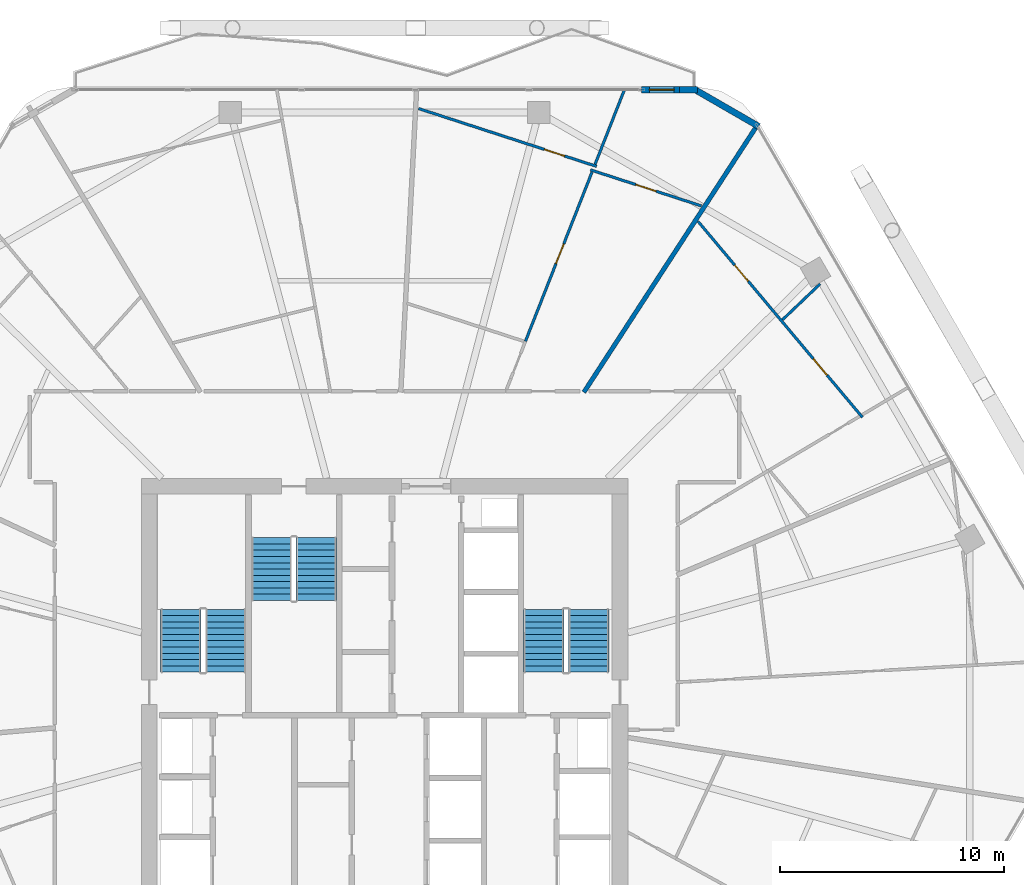
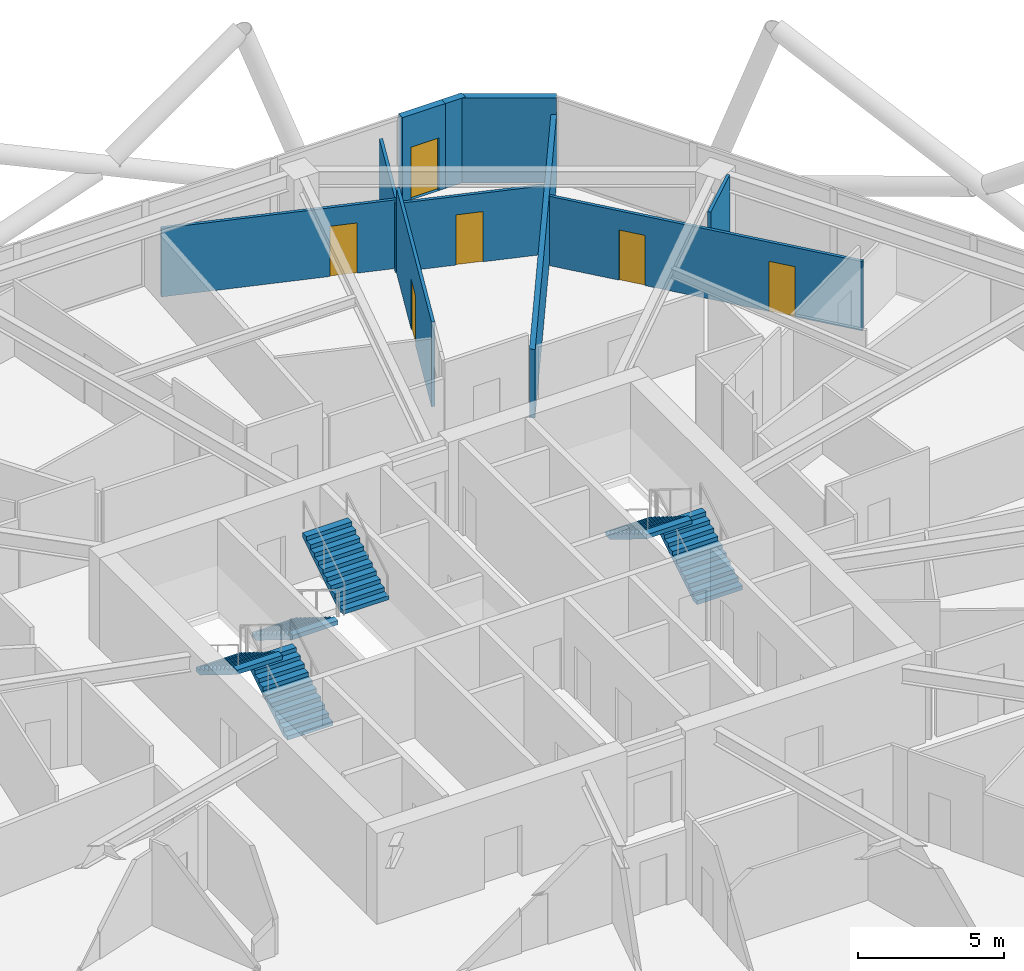
# One storey, part 26 of 29: 10 walls, 6 doors, 6 stair flights, 6 openings, 3 elements without a shape of their own.
"""IFC4 building model written with IfcOpenShell, lengths in metres."""

from ifc_helpers import new_model, si_unit, direction, frame, frame_2d, origin, place, context, subcontext, project, spatial, polyline, rectangle, outline, extrude, material, layer, layer_set, type_object, element, fill, aggregate, save


model = new_model("IFC4")

# Units and contexts
model_context = context("Model", 3, precision=1e-05, world=origin(), true_north=direction((0.0, 1.0)))
body_context = subcontext(model_context, "Body", "Model", "MODEL_VIEW")
ifc_project = project(units=[si_unit("LENGTHUNIT", "METRE"), si_unit("AREAUNIT", "SQUARE_METRE"), si_unit("VOLUMEUNIT", "CUBIC_METRE"), si_unit("PLANEANGLEUNIT", "RADIAN"), si_unit("MASSUNIT", "GRAM", prefix="KILO")], contexts=[model_context])

# Site, building, storey
site_placement = place(None, origin())
site = spatial("IfcSite", under=ifc_project, at=site_placement, CompositionType="ELEMENT")
building_placement = place(site_placement, origin())
building = spatial("IfcBuilding", under=site, at=building_placement, Name="Zuhravey Tower", CompositionType="ELEMENT")
storey_placement = place(building_placement, frame((0.0, 0.0, 161.800048828125)))
storey = spatial("IfcBuildingStorey", under=building, at=storey_placement, Name="L40", CompositionType="ELEMENT", Elevation=161.800048828125)

# Wall, opening, door
ifc_material_1 = material(Name="Precast concrete C40/50", Category="concrete")
ifc_layer_1 = layer(ifc_material_1, 0.280029296875)
ifc_layer_set_1 = layer_set([ifc_layer_1], Name="Precast concrete C40/50")
wall_type_1 = type_object("IfcWallType", Name="Crown Architectural Wall 280", PredefinedType="SOLIDWALL", material=ifc_layer_set_1)
wall_1_placement = place(storey_placement, frame((47.466064453125, 59.18310546875, 0.0), z_axis=(0.0, 0.0, 1.0), x_axis=(1.0, 0.0, 0.0)))
wall_1 = element("IfcWall", 1, at=wall_1_placement, inside=storey, type_object=wall_type_1, Name="L40 Face 2 Facade Pier EW28-1", PredefinedType="SOLIDWALL", context=body_context, shape_type="SweptSolid", body=[
    extrude(rectangle(XDim=1.7900390625, YDim=0.280029296875, at=frame_2d((0.89501953125, 0.0))), origin(), (0.0, 0.0, 1.0), 3.550048828125),
])
opening_1_placement = place(wall_1_placement, frame((0.344970703125, 0.0, 0.0)))
opening_1 = element("IfcOpeningElement", 2, at=opening_1_placement, cuts=wall_1, Name="Opening BLD1", PredefinedType="OPENING", context=body_context, shape_type="SweptSolid", body=[
    extrude(rectangle(XDim=1.10009765625, YDim=2.199951171875, at=frame_2d((0.550048828125, 1.10009765625))), frame((0.0, 0.152099609375, 0.0), z_axis=(0.0, -1.0, 0.0), x_axis=(1.0, 0.0, 0.0)), (0.0, 0.0, 1.0), 0.303955078125),
])
ifc_material_2 = material(Name="Thermally broken aluminium and low-E glass", Category="aluminium")
door_type_1 = type_object("IfcDoorType", Name="Balcony & Sky-Tray Glazed Door 1100x2200", OperationType="NOTDEFINED", PredefinedType="DOOR", material=ifc_material_2)
door_1_placement = place(opening_1_placement, frame((1.10009765625, 0.0, 0.0), z_axis=(0.0, 0.0, 1.0), x_axis=(-1.0, 0.0, 0.0)))
door_1 = element("IfcDoor", 3, at=door_1_placement, inside=storey, type_object=door_type_1, Name="L40 Face 2 Wave Balcony Door", OperationType="SINGLE_SWING_RIGHT", OverallHeight=2.199951171875, OverallWidth=1.10009765625, PredefinedType="DOOR", context=body_context, shape_type="SweptSolid", body=[
    extrude(rectangle(XDim=1.10009765625, YDim=2.199951171875, at=frame_2d((0.550048828125, 1.10009765625))), frame((0.0, 0.02490234375, 0.0), z_axis=(0.0, -1.0, 0.0), x_axis=(1.0, 0.0, 0.0)), (0.0, 0.0, 1.0), 0.050048828125),
])
fill(opening_1, door_1)

# Walls
wall_2_placement = place(storey_placement, frame((49.166015625, 59.18310546875, 0.0), z_axis=(0.0, 0.0, 1.0), x_axis=(1.0, 0.0, 0.0)))
element("IfcWall", 4, at=wall_2_placement, inside=storey, type_object=wall_type_1, Name="L40 Face 2 Closure Pier EW28", PredefinedType="SOLIDWALL", context=body_context, shape_type="SweptSolid", body=[
    extrude(rectangle(XDim=0.7900390625, YDim=0.280029296875, at=frame_2d((0.39501953125, 0.0))), origin(), (0.0, 0.0, 1.0), 3.550048828125),
])
wall_3_placement = place(storey_placement, frame((49.77880859375, 59.230712890625, 0.0), z_axis=(0.0, 0.0, 1.0), x_axis=(0.866020068361, -0.500009241111, 0.0)))
element("IfcWall", 5, at=wall_3_placement, inside=storey, type_object=wall_type_1, Name="L40 Rounded Corner Closure Wall EW28-10", PredefinedType="SOLIDWALL", context=body_context, shape_type="SweptSolid", body=[
    extrude(rectangle(XDim=3.365234375, YDim=0.280029296875, at=frame_2d((1.6826171875, 0.0))), origin(), (0.0, 0.0, 1.0), 3.550048828125),
])
ifc_material_3 = material(Name="Gypsum double-stud party assembly")
ifc_layer_2 = layer(ifc_material_3, 0.199951171875)
ifc_layer_set_2 = layer_set([ifc_layer_2], Name="Gypsum double-stud party assembly")
wall_type_2 = type_object("IfcWallType", Name="Inter-Tenancy Party Wall 200", PredefinedType="PARTITIONING", material=ifc_layer_set_2)
wall_4_placement = place(storey_placement, frame((44.890380859375, 45.68994140625, 0.0), z_axis=(0.0, 0.0, 1.0), x_axis=(0.544635001308, 0.838673187452, 0.0)))
element("IfcWall", 6, at=wall_4_placement, inside=storey, type_object=wall_type_2, Name="L40 IW20 Partition 081", PredefinedType="PARTITIONING", context=body_context, shape_type="SweptSolid", body=[
    extrude(rectangle(XDim=14.184814453125, YDim=0.199951171875, at=frame_2d((7.09228515625, 0.0))), origin(), (0.0, 0.0, 1.0), 2.869873046875),
])

# Wall, openings, doors
ifc_material_4 = material(Name="Gypsum metal-stud partition")
ifc_layer_3 = layer(ifc_material_4, 0.1201171875)
ifc_layer_set_3 = layer_set([ifc_layer_3], Name="Gypsum metal-stud partition")
wall_type_3 = type_object("IfcWallType", Name="Unit Internal Partition 120", PredefinedType="PARTITIONING", material=ifc_layer_set_3)
wall_5_placement = place(storey_placement, frame((57.31689453125, 44.571044921875, 0.0), z_axis=(0.0, 0.0, 1.0), x_axis=(-0.642776392827, 0.766053855042, 0.0)))
wall_5 = element("IfcWall", 7, at=wall_5_placement, inside=storey, type_object=wall_type_3, Name="L40 IW12 Partition 019", PredefinedType="PARTITIONING", context=body_context, shape_type="SweptSolid", body=[
    extrude(rectangle(XDim=11.4072265625, YDim=0.1201171875, at=frame_2d((5.70361328125, 0.0))), origin(), (0.0, 0.0, 1.0), 2.89990234375),
])
opening_2_placement = place(wall_5_placement, frame((2.455810546875, 0.0, 0.0)))
opening_2 = element("IfcOpeningElement", 8, at=opening_2_placement, cuts=wall_5, Name="Opening IND1", PredefinedType="OPENING", context=body_context, shape_type="SweptSolid", body=[
    extrude(rectangle(XDim=0.949951171875, YDim=2.10009765625, at=frame_2d((0.47509765625, 1.050048828125))), frame((0.0, 0.072021484375, 0.0), z_axis=(0.0, -1.0, 0.0), x_axis=(1.0, 0.0, 0.0)), (0.0, 0.0, 1.0), 0.14404296875),
])
opening_3_placement = place(wall_5_placement, frame((7.919189453125, 0.0, 0.0)))
opening_3 = element("IfcOpeningElement", 9, at=opening_3_placement, cuts=wall_5, Name="Opening IND1", PredefinedType="OPENING", context=body_context, shape_type="SweptSolid", body=[
    extrude(rectangle(XDim=0.949951171875, YDim=2.10009765625, at=frame_2d((0.47509765625, 1.050048828125))), frame((0.0, 0.072021484375, 0.0), z_axis=(0.0, -1.0, 0.0), x_axis=(1.0, 0.0, 0.0)), (0.0, 0.0, 1.0), 0.14404296875),
])
ifc_material_5 = material(Name="Painted engineered timber leaf", Category="wood")
door_type_2 = type_object("IfcDoorType", Name="Internal Room & Bedroom Door 950x2100", OperationType="NOTDEFINED", PredefinedType="DOOR", material=ifc_material_5)
door_2_placement = place(opening_2_placement, frame((0.949951171875, 0.0, 0.0), z_axis=(0.0, 0.0, 1.0), x_axis=(-1.0, 0.0, 0.0)))
door_2 = element("IfcDoor", 10, at=door_2_placement, inside=storey, type_object=door_type_2, Name="Apartment L40-01 Family Study Door", OperationType="SINGLE_SWING_LEFT", OverallHeight=2.10009765625, OverallWidth=0.949951171875, PredefinedType="DOOR", context=body_context, shape_type="SweptSolid", body=[
    extrude(rectangle(XDim=0.949951171875, YDim=2.10009765625, at=frame_2d((0.47509765625, 1.050048828125))), frame((0.0, 0.02490234375, 0.0), z_axis=(0.0, -1.0, 0.0), x_axis=(1.0, 0.0, 0.0)), (0.0, 0.0, 1.0), 0.050048828125),
])
fill(opening_2, door_2)
door_3_placement = place(opening_3_placement, frame((0.949951171875, 0.0, 0.0), z_axis=(0.0, 0.0, 1.0), x_axis=(-1.0, 0.0, 0.0)))
door_3 = element("IfcDoor", 11, at=door_3_placement, inside=storey, type_object=door_type_2, Name="Apartment L40-01 Dining Room Door", OperationType="SINGLE_SWING_RIGHT", OverallHeight=2.10009765625, OverallWidth=0.949951171875, PredefinedType="DOOR", context=body_context, shape_type="SweptSolid", body=[
    extrude(rectangle(XDim=0.949951171875, YDim=2.10009765625, at=frame_2d((0.47509765625, 1.050048828125))), frame((0.0, 0.02490234375, 0.0), z_axis=(0.0, -1.0, 0.0), x_axis=(1.0, 0.0, 0.0)), (0.0, 0.0, 1.0), 0.050048828125),
])
fill(opening_3, door_3)

# Wall, opening, door
wall_6_placement = place(storey_placement, frame((50.135498046875, 54.001953125, 0.0), z_axis=(0.0, 0.0, 1.0), x_axis=(-0.951047506312, 0.309044722876, 0.0)))
wall_6 = element("IfcWall", 12, at=wall_6_placement, inside=storey, type_object=wall_type_3, Name="L40 IW12 Partition 024", PredefinedType="PARTITIONING", context=body_context, shape_type="SweptSolid", body=[
    extrude(rectangle(XDim=5.206787109375, YDim=0.1201171875, at=frame_2d((2.603515625, 0.0))), origin(), (0.0, 0.0, 1.0), 2.869873046875),
])
opening_4_placement = place(wall_6_placement, frame((2.12841796875, 0.0, 0.0)))
opening_4 = element("IfcOpeningElement", 13, at=opening_4_placement, cuts=wall_6, Name="Opening IND1", PredefinedType="OPENING", context=body_context, shape_type="SweptSolid", body=[
    extrude(rectangle(XDim=0.949951171875, YDim=2.10009765625, at=frame_2d((0.47509765625, 1.050048828125))), frame((0.0, 0.072021484375, 0.0), z_axis=(0.0, -1.0, 0.0), x_axis=(1.0, 0.0, 0.0)), (0.0, 0.0, 1.0), 0.14404296875),
])
door_4_placement = place(opening_4_placement, frame((0.949951171875, 0.0, 0.0), z_axis=(0.0, 0.0, 1.0), x_axis=(-1.0, 0.0, 0.0)))
door_4 = element("IfcDoor", 14, at=door_4_placement, inside=storey, type_object=door_type_2, Name="Apartment L40-02 Family Study Door", OperationType="SINGLE_SWING_RIGHT", OverallHeight=2.10009765625, OverallWidth=0.949951171875, PredefinedType="DOOR", context=body_context, shape_type="SweptSolid", body=[
    extrude(rectangle(XDim=0.949951171875, YDim=2.10009765625, at=frame_2d((0.47509765625, 1.050048828125))), frame((0.0, 0.02490234375, 0.0), z_axis=(0.0, -1.0, 0.0), x_axis=(1.0, 0.0, 0.0)), (0.0, 0.0, 1.0), 0.050048828125),
])
fill(opening_4, door_4)

wall_7_placement = place(storey_placement, frame((42.281982421875, 47.96435546875, 0.0), z_axis=(0.0, 0.0, 1.0), x_axis=(0.366182812117, 0.930542931901, 0.0)))
wall_7 = element("IfcWall", 15, at=wall_7_placement, inside=storey, type_object=wall_type_3, Name="L40 IW12 Partition 026", PredefinedType="PARTITIONING", context=body_context, shape_type="SweptSolid", body=[
    extrude(rectangle(XDim=8.115966796875, YDim=0.1201171875, at=frame_2d((4.05810546875, 0.0))), origin(), (0.0, 0.0, 1.0), 3.550048828125),
])
opening_5_placement = place(wall_7_placement, frame((3.720703125, 0.0, 0.0)))
opening_5 = element("IfcOpeningElement", 16, at=opening_5_placement, cuts=wall_7, Name="Opening IND1", PredefinedType="OPENING", context=body_context, shape_type="SweptSolid", body=[
    extrude(rectangle(XDim=0.949951171875, YDim=2.10009765625, at=frame_2d((0.47509765625, 1.050048828125))), frame((0.0, 0.072021484375, 0.0), z_axis=(0.0, -1.0, 0.0), x_axis=(1.0, 0.0, 0.0)), (0.0, 0.0, 1.0), 0.14404296875),
])
door_5_placement = place(opening_5_placement, origin())
door_5 = element("IfcDoor", 17, at=door_5_placement, inside=storey, type_object=door_type_2, Name="Apartment L40-02 Home Office Door", OperationType="SINGLE_SWING_RIGHT", OverallHeight=2.10009765625, OverallWidth=0.949951171875, PredefinedType="DOOR", context=body_context, shape_type="SweptSolid", body=[
    extrude(rectangle(XDim=0.949951171875, YDim=2.10009765625, at=frame_2d((0.47509765625, 1.050048828125))), frame((0.0, 0.02490234375, 0.0), z_axis=(0.0, -1.0, 0.0), x_axis=(1.0, 0.0, 0.0)), (0.0, 0.0, 1.0), 0.050048828125),
])
fill(opening_5, door_5)

wall_8_placement = place(storey_placement, frame((45.45947265625, 55.765625, 0.0), z_axis=(0.0, 0.0, 1.0), x_axis=(-0.9510658366, 0.308988307953, 0.0)))
wall_8 = element("IfcWall", 18, at=wall_8_placement, inside=storey, type_object=wall_type_3, Name="L40 IW12 Partition 027", PredefinedType="PARTITIONING", context=body_context, shape_type="SweptSolid", body=[
    extrude(rectangle(XDim=8.357177734375, YDim=0.1201171875, at=frame_2d((4.1787109375, 0.0))), origin(), (0.0, 0.0, 1.0), 2.869873046875),
])
opening_6_placement = place(wall_8_placement, frame((1.50341796875, 0.0, 0.0)))
opening_6 = element("IfcOpeningElement", 19, at=opening_6_placement, cuts=wall_8, Name="Opening IND1", PredefinedType="OPENING", context=body_context, shape_type="SweptSolid", body=[
    extrude(rectangle(XDim=0.949951171875, YDim=2.10009765625, at=frame_2d((0.47509765625, 1.050048828125))), frame((0.0, 0.072021484375, 0.0), z_axis=(0.0, -1.0, 0.0), x_axis=(1.0, 0.0, 0.0)), (0.0, 0.0, 1.0), 0.14404296875),
])
door_6_placement = place(opening_6_placement, frame((0.949951171875, 0.0, 0.0), z_axis=(0.0, 0.0, 1.0), x_axis=(-1.0, 0.0, 0.0)))
door_6 = element("IfcDoor", 20, at=door_6_placement, inside=storey, type_object=door_type_2, Name="Apartment L40-02 Kitchen Door", OperationType="SINGLE_SWING_LEFT", OverallHeight=2.10009765625, OverallWidth=0.949951171875, PredefinedType="DOOR", context=body_context, shape_type="SweptSolid", body=[
    extrude(rectangle(XDim=0.949951171875, YDim=2.10009765625, at=frame_2d((0.47509765625, 1.050048828125))), frame((0.0, 0.02490234375, 0.0), z_axis=(0.0, -1.0, 0.0), x_axis=(1.0, 0.0, 0.0)), (0.0, 0.0, 1.0), 0.050048828125),
])
fill(opening_6, door_6)

# Walls
wall_9_placement = place(storey_placement, frame((53.75341796875, 48.923828125, 0.0), z_axis=(0.0, 0.0, 1.0), x_axis=(0.723775388802, 0.690035641517, 0.0)))
element("IfcWall", 21, at=wall_9_placement, inside=storey, type_object=wall_type_3, Name="L40 IW12 Partition 076", PredefinedType="PARTITIONING", context=body_context, shape_type="SweptSolid", body=[
    extrude(rectangle(XDim=2.32275390625, YDim=0.1201171875, at=frame_2d((1.161376953125, 0.0))), origin(), (0.0, 0.0, 1.0), 3.550048828125),
])
wall_10_placement = place(storey_placement, frame((45.388916015625, 55.860107421875, 0.0), z_axis=(0.0, 0.0, 1.0), x_axis=(0.366227083172, 0.93052550935, 0.0)))
element("IfcWall", 22, at=wall_10_placement, inside=storey, type_object=wall_type_3, Name="L40 IW12 Partition 083", PredefinedType="PARTITIONING", context=body_context, shape_type="SweptSolid", body=[
    extrude(rectangle(XDim=3.574462890625, YDim=0.1201171875, at=frame_2d((1.787109375, 0.0))), origin(), (0.0, 0.0, 1.0), 2.869873046875),
])

# Stair, stair flights
ifc_material_6 = material(Name="Concrete C40/50", Category="concrete")
stair_type = type_object("IfcStairType", Name="Housing Storey Stair Assembly 3800", PredefinedType="HALF_TURN_STAIR", material=ifc_material_6)
stair_1_placement = place(storey_placement, origin())
stair_1 = element("IfcStair", 23, at=stair_1_placement, inside=storey, type_object=stair_type, Name="L40 Core Exit Stair ST1", PredefinedType="HALF_TURN_STAIR")
stair_flight_type = type_object("IfcStairFlightType", Name="Housing Storey Stair Flight 3800", PredefinedType="STRAIGHT", material=ifc_material_6)
stair_flight_1_placement = place(storey_placement, frame((28.89990234375, 33.199951171875, 0.0), z_axis=(0.0, 0.0, 1.0), x_axis=(0.0, 1.0, 0.0)))
stair_flight_1 = element("IfcStairFlight", 24, at=stair_flight_1_placement, type_object=stair_flight_type, Name="ST1 flight 1", NumberOfRisers=11, NumberOfTreads=10, PredefinedType="STRAIGHT", RiserHeight=0.172727273, TreadLength=0.28, context=body_context, shape_type="SweptSolid", body=[
    extrude(outline(polyline([(0.0, 0.0), (0.0, 0.172607421875), (0.280029296875, 0.172607421875), (0.280029296875, 0.345458984375), (0.56005859375, 0.345458984375), (0.56005859375, 0.51806640625), (0.840087890625, 0.51806640625), (0.840087890625, 0.69091796875), (1.1201171875, 0.69091796875), (1.1201171875, 0.863525390625), (1.39990234375, 0.863525390625), (1.39990234375, 1.036376953125), (1.679931640625, 1.036376953125), (1.679931640625, 1.208984375), (1.9599609375, 1.208984375), (1.9599609375, 1.3818359375), (2.239990234375, 1.3818359375), (2.239990234375, 1.554443359375), (2.52001953125, 1.554443359375), (2.52001953125, 1.727294921875), (2.800048828125, 1.727294921875), (2.800048828125, 1.89990234375), (2.800048828125, 1.551025390625), (0.285400390625, 0.0), (0.0, 0.0)])), frame((0.0, 0.89990234375, 0.0), z_axis=(0.0, -1.0, 0.0), x_axis=(1.0, 0.0, 0.0)), (0.0, 0.0, 1.0), 1.800048828125),
])
stair_flight_2_placement = place(storey_placement, frame((26.89990234375, 36.0, 1.89990234375), z_axis=(0.0, 0.0, 1.0), x_axis=(0.0, -1.0, 0.0)))
stair_flight_2 = element("IfcStairFlight", 25, at=stair_flight_2_placement, type_object=stair_flight_type, Name="ST1 flight 2", NumberOfRisers=11, NumberOfTreads=10, PredefinedType="STRAIGHT", RiserHeight=0.172727273, TreadLength=0.28, context=body_context, shape_type="SweptSolid", body=[
    extrude(outline(polyline([(0.0, 0.0), (0.0, 0.172607421875), (0.280029296875, 0.172607421875), (0.280029296875, 0.345458984375), (0.56005859375, 0.345458984375), (0.56005859375, 0.51806640625), (0.840087890625, 0.51806640625), (0.840087890625, 0.69091796875), (1.1201171875, 0.69091796875), (1.1201171875, 0.863525390625), (1.39990234375, 0.863525390625), (1.39990234375, 1.036376953125), (1.679931640625, 1.036376953125), (1.679931640625, 1.208984375), (1.9599609375, 1.208984375), (1.9599609375, 1.3818359375), (2.239990234375, 1.3818359375), (2.239990234375, 1.554443359375), (2.52001953125, 1.554443359375), (2.52001953125, 1.727294921875), (2.800048828125, 1.727294921875), (2.800048828125, 1.89990234375), (2.800048828125, 1.551025390625), (0.285400390625, 0.0), (0.0, 0.0)])), frame((0.0, 0.89990234375, 0.0), z_axis=(0.0, -1.0, 0.0), x_axis=(1.0, 0.0, 0.0)), (0.0, 0.0, 1.0), 1.800048828125),
])
aggregate(stair_1, [stair_flight_1, stair_flight_2])

stair_2_placement = place(storey_placement, origin())
stair_2 = element("IfcStair", 26, at=stair_2_placement, inside=storey, type_object=stair_type, Name="L40 Core Exit Stair ST2", PredefinedType="HALF_TURN_STAIR")
stair_flight_3_placement = place(storey_placement, frame((45.10009765625, 33.199951171875, 0.0), z_axis=(0.0, 0.0, 1.0), x_axis=(0.0, 1.0, 0.0)))
stair_flight_3 = element("IfcStairFlight", 27, at=stair_flight_3_placement, type_object=stair_flight_type, Name="ST2 flight 1", NumberOfRisers=11, NumberOfTreads=10, PredefinedType="STRAIGHT", RiserHeight=0.172727273, TreadLength=0.28, context=body_context, shape_type="SweptSolid", body=[
    extrude(outline(polyline([(0.0, 0.0), (0.0, 0.172607421875), (0.280029296875, 0.172607421875), (0.280029296875, 0.345458984375), (0.56005859375, 0.345458984375), (0.56005859375, 0.51806640625), (0.840087890625, 0.51806640625), (0.840087890625, 0.69091796875), (1.1201171875, 0.69091796875), (1.1201171875, 0.863525390625), (1.39990234375, 0.863525390625), (1.39990234375, 1.036376953125), (1.679931640625, 1.036376953125), (1.679931640625, 1.208984375), (1.9599609375, 1.208984375), (1.9599609375, 1.3818359375), (2.239990234375, 1.3818359375), (2.239990234375, 1.554443359375), (2.52001953125, 1.554443359375), (2.52001953125, 1.727294921875), (2.800048828125, 1.727294921875), (2.800048828125, 1.89990234375), (2.800048828125, 1.551025390625), (0.285400390625, 0.0), (0.0, 0.0)])), frame((0.0, 0.89990234375, 0.0), z_axis=(0.0, -1.0, 0.0), x_axis=(1.0, 0.0, 0.0)), (0.0, 0.0, 1.0), 1.800048828125),
])
stair_flight_4_placement = place(storey_placement, frame((43.10009765625, 36.0, 1.89990234375), z_axis=(0.0, 0.0, 1.0), x_axis=(0.0, -1.0, 0.0)))
stair_flight_4 = element("IfcStairFlight", 28, at=stair_flight_4_placement, type_object=stair_flight_type, Name="ST2 flight 2", NumberOfRisers=11, NumberOfTreads=10, PredefinedType="STRAIGHT", RiserHeight=0.172727273, TreadLength=0.28, context=body_context, shape_type="SweptSolid", body=[
    extrude(outline(polyline([(0.0, 0.0), (0.0, 0.172607421875), (0.280029296875, 0.172607421875), (0.280029296875, 0.345458984375), (0.56005859375, 0.345458984375), (0.56005859375, 0.51806640625), (0.840087890625, 0.51806640625), (0.840087890625, 0.69091796875), (1.1201171875, 0.69091796875), (1.1201171875, 0.863525390625), (1.39990234375, 0.863525390625), (1.39990234375, 1.036376953125), (1.679931640625, 1.036376953125), (1.679931640625, 1.208984375), (1.9599609375, 1.208984375), (1.9599609375, 1.3818359375), (2.239990234375, 1.3818359375), (2.239990234375, 1.554443359375), (2.52001953125, 1.554443359375), (2.52001953125, 1.727294921875), (2.800048828125, 1.727294921875), (2.800048828125, 1.89990234375), (2.800048828125, 1.551025390625), (0.285400390625, 0.0), (0.0, 0.0)])), frame((0.0, 0.89990234375, 0.0), z_axis=(0.0, -1.0, 0.0), x_axis=(1.0, 0.0, 0.0)), (0.0, 0.0, 1.0), 1.800048828125),
])
aggregate(stair_2, [stair_flight_3, stair_flight_4])

stair_3_placement = place(storey_placement, origin())
stair_3 = element("IfcStair", 29, at=stair_3_placement, inside=storey, type_object=stair_type, Name="L40 Core Exit Stair ST3", PredefinedType="HALF_TURN_STAIR")
stair_flight_5_placement = place(storey_placement, frame((30.949951171875, 39.199951171875, 0.0), z_axis=(0.0, 0.0, 1.0), x_axis=(0.0, -1.0, 0.0)))
stair_flight_5 = element("IfcStairFlight", 30, at=stair_flight_5_placement, type_object=stair_flight_type, Name="ST3 flight 1", NumberOfRisers=11, NumberOfTreads=10, PredefinedType="STRAIGHT", RiserHeight=0.172727273, TreadLength=0.28, context=body_context, shape_type="SweptSolid", body=[
    extrude(outline(polyline([(0.0, 0.0), (0.0, 0.172607421875), (0.280029296875, 0.172607421875), (0.280029296875, 0.345458984375), (0.56005859375, 0.345458984375), (0.56005859375, 0.51806640625), (0.840087890625, 0.51806640625), (0.840087890625, 0.69091796875), (1.1201171875, 0.69091796875), (1.1201171875, 0.863525390625), (1.39990234375, 0.863525390625), (1.39990234375, 1.036376953125), (1.679931640625, 1.036376953125), (1.679931640625, 1.208984375), (1.9599609375, 1.208984375), (1.9599609375, 1.3818359375), (2.239990234375, 1.3818359375), (2.239990234375, 1.554443359375), (2.52001953125, 1.554443359375), (2.52001953125, 1.727294921875), (2.800048828125, 1.727294921875), (2.800048828125, 1.89990234375), (2.800048828125, 1.551025390625), (0.285400390625, 0.0), (0.0, 0.0)])), frame((0.0, 0.89990234375, 0.0), z_axis=(0.0, -1.0, 0.0), x_axis=(1.0, 0.0, 0.0)), (0.0, 0.0, 1.0), 1.800048828125),
])
stair_flight_6_placement = place(storey_placement, frame((32.949951171875, 36.39990234375, 1.89990234375), z_axis=(0.0, 0.0, 1.0), x_axis=(0.0, 1.0, 0.0)))
stair_flight_6 = element("IfcStairFlight", 31, at=stair_flight_6_placement, type_object=stair_flight_type, Name="ST3 flight 2", NumberOfRisers=11, NumberOfTreads=10, PredefinedType="STRAIGHT", RiserHeight=0.172727273, TreadLength=0.28, context=body_context, shape_type="SweptSolid", body=[
    extrude(outline(polyline([(0.0, 0.0), (0.0, 0.172607421875), (0.280029296875, 0.172607421875), (0.280029296875, 0.345458984375), (0.56005859375, 0.345458984375), (0.56005859375, 0.51806640625), (0.840087890625, 0.51806640625), (0.840087890625, 0.69091796875), (1.1201171875, 0.69091796875), (1.1201171875, 0.863525390625), (1.39990234375, 0.863525390625), (1.39990234375, 1.036376953125), (1.679931640625, 1.036376953125), (1.679931640625, 1.208984375), (1.9599609375, 1.208984375), (1.9599609375, 1.3818359375), (2.239990234375, 1.3818359375), (2.239990234375, 1.554443359375), (2.52001953125, 1.554443359375), (2.52001953125, 1.727294921875), (2.800048828125, 1.727294921875), (2.800048828125, 1.89990234375), (2.800048828125, 1.551025390625), (0.285400390625, 0.0), (0.0, 0.0)])), frame((0.0, 0.89990234375, 0.0), z_axis=(0.0, -1.0, 0.0), x_axis=(1.0, 0.0, 0.0)), (0.0, 0.0, 1.0), 1.800048828125),
])
aggregate(stair_3, [stair_flight_5, stair_flight_6])

save(model, "model.ifc")
